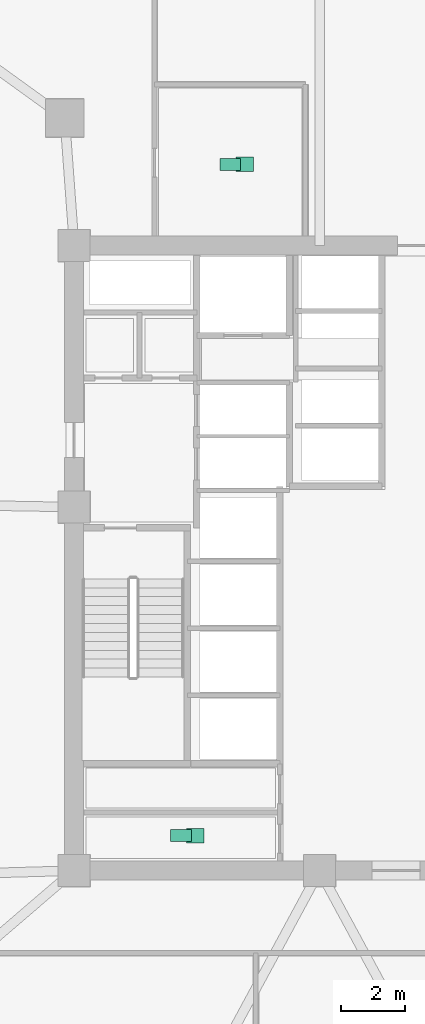
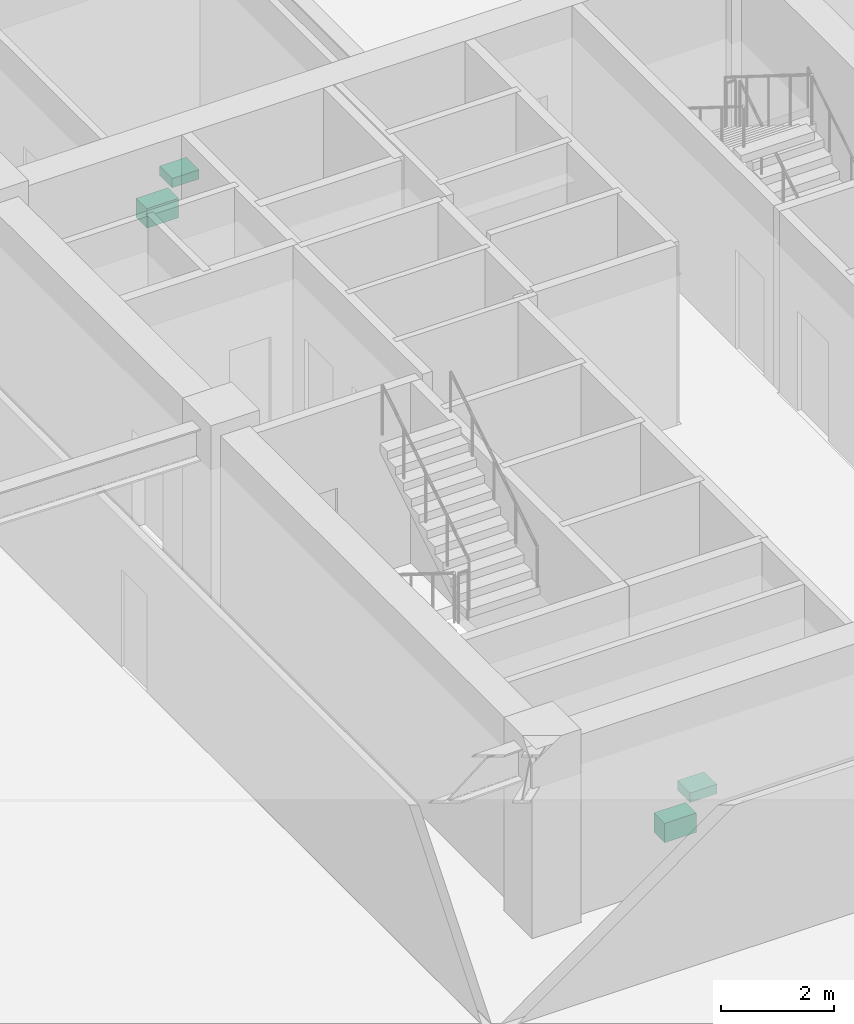
# One storey, part 21 of 21: 4 sanitary terminals.
"""IFC4 building model written with IfcOpenShell, lengths in metres."""

import ifcopenshell
import ifcopenshell.guid

model = None  # the IFC model being written
_history = None  # IfcOwnerHistory: only IFC2X3 demands one
_inside = {}  # id of a spatial element -> (the spatial element, [elements in it])
_under = {}  # id of a project, library or spatial element -> (it, [spatial elements below it])
_declared = {}  # id of a project -> (the project, [libraries it declares])
_typed = {}  # id of a type object -> (the type object, [elements of that type])
_made_of = {}  # id of a material, layer set ... -> (it, [elements and type objects made of it])


def new_model(schema):
    """Start an empty IFC model of exactly this schema.

    Asked for "IFC4X3", IfcOpenShell would pick the latest addendum, in which some entities
    have other attributes; the version numbers below select the first issue.
    IFC2X3 requires an IfcOwnerHistory on every rooted entity: one is made here for all.
    """
    global model, _history
    if schema == "IFC4X3":
        model = ifcopenshell.file(schema_version=(4, 3, 0, 0))
    else:
        model = ifcopenshell.file(schema=schema)
    _inside.clear()
    _under.clear()
    _declared.clear()
    _typed.clear()
    _made_of.clear()
    _history = None
    if model.schema == "IFC2X3":
        org = make("IfcOrganization", Name="unknown")
        user = make(
            "IfcPersonAndOrganization",
            ThePerson=make("IfcPerson", FamilyName="unknown"),
            TheOrganization=org,
        )
        app = make(
            "IfcApplication",
            ApplicationDeveloper=org,
            Version="unknown",
            ApplicationFullName="unknown",
            ApplicationIdentifier="unknown",
        )
        _history = make(
            "IfcOwnerHistory",
            OwningUser=user,
            OwningApplication=app,
            ChangeAction="ADDED",
            CreationDate=0,
        )
    return model


def make(cls, **values):
    """One entity of the class cls with the attributes given. An attribute that is None is left unset."""
    return model.create_entity(
        cls, **{name: value for name, value in values.items() if value is not None}
    )


def rooted(cls, **values):
    """An entity with a GlobalId (a new one), such as an element, a storey or a relation."""
    return make(cls, GlobalId=ifcopenshell.guid.new(), OwnerHistory=_history, **values)


def si_unit(unit_type, name, prefix=None):
    """IfcSIUnit, for example si_unit("LENGTHUNIT", "METRE", prefix="MILLI")."""
    return make("IfcSIUnit", UnitType=unit_type, Prefix=prefix, Name=name)


def assignment(units):
    """IfcUnitAssignment: the units of a project."""
    return None if units is None else make("IfcUnitAssignment", Units=units)


def point(xyz):
    """IfcCartesianPoint."""
    return None if xyz is None else make("IfcCartesianPoint", Coordinates=xyz)


def direction(xyz):
    """IfcDirection."""
    return None if xyz is None else make("IfcDirection", DirectionRatios=xyz)


def frame(location, z_axis=None, x_axis=None):
    """IfcAxis2Placement3D, a coordinate frame: its origin and axes. An axis left out is left unset."""
    return make(
        "IfcAxis2Placement3D",
        Location=point(location),
        Axis=direction(z_axis),
        RefDirection=direction(x_axis),
    )


def frame_2d(location, x_axis=None):
    """IfcAxis2Placement2D, a coordinate frame in the plane: its origin and x axis."""
    return make(
        "IfcAxis2Placement2D", Location=point(location), RefDirection=direction(x_axis)
    )


def origin():
    """The frame at (0, 0, 0) with its axes left unset."""
    return frame((0.0, 0.0, 0.0))


def origin_2d():
    """The frame at (0, 0) in the plane with its x axis left unset."""
    return frame_2d((0.0, 0.0))


def place(relative_to, where):
    """IfcLocalPlacement: puts the frame where relative to a parent placement (None: the world)."""
    return make(
        "IfcLocalPlacement", PlacementRelTo=relative_to, RelativePlacement=where
    )


def context(
    kind, dimensions, precision=None, world=None, true_north=None, identifier=None
):
    """IfcGeometricRepresentationContext, for example the 3D "Model" context."""
    return make(
        "IfcGeometricRepresentationContext",
        ContextIdentifier=identifier,
        ContextType=kind,
        CoordinateSpaceDimension=dimensions,
        Precision=precision,
        WorldCoordinateSystem=world,
        TrueNorth=true_north,
    )


def subcontext(parent, identifier, kind, view, scale=None):
    """IfcGeometricRepresentationSubContext, for example "Body" below "Model"."""
    return make(
        "IfcGeometricRepresentationSubContext",
        ContextIdentifier=identifier,
        ContextType=kind,
        ParentContext=parent,
        TargetScale=scale,
        TargetView=view,
    )


def project(units=None, contexts=None):
    """IfcProject with its units and contexts."""
    return rooted(
        "IfcProject",
        Name="project",
        RepresentationContexts=contexts,
        UnitsInContext=assignment(units),
    )


def spatial(cls, under=None, at=None, **own):
    """A site, building, storey or space (cls), placed at a placement, below another one or the project."""
    s = rooted(cls, ObjectPlacement=at, **own)
    if under is not None:
        _under.setdefault(under.id(), (under, []))[1].append(s)
    return s


def profile(cls, at=None, kind="AREA", **sizes):
    """A parametric profile (cls). Its sizes go by their IFC names, for example OverallWidth=200.0."""
    return make(cls, ProfileType=kind, Position=at, **sizes)


def rectangle(**sizes):
    """IfcRectangleProfileDef."""
    return profile("IfcRectangleProfileDef", **sizes)


def extrude(swept, where, along, depth):
    """IfcExtrudedAreaSolid: the profile swept, set in the frame where, extruded along a direction by depth."""
    return make(
        "IfcExtrudedAreaSolid",
        SweptArea=swept,
        Position=where,
        ExtrudedDirection=direction(along),
        Depth=depth,
    )


def shape(context_of_items, identifier, shape_type, items):
    """IfcShapeRepresentation: the items that make up one representation, for example the "Body"."""
    return make(
        "IfcShapeRepresentation",
        ContextOfItems=context_of_items,
        RepresentationIdentifier=identifier,
        RepresentationType=shape_type,
        Items=items,
    )


def material(Name=None, Category=None):
    """IfcMaterial."""
    return make("IfcMaterial", Name=Name, Category=Category)


def made_of(thing, what):
    """Note that an element or type object is made of a material, layer set ...; save() writes the relation."""
    if what is not None:
        _made_of.setdefault(what.id(), (what, []))[1].append(thing)
    return thing


def type_object(cls, material=None, **own):
    """A type object (cls), such as IfcWallType, which elements share."""
    return made_of(rooted(cls, **own), material)


def element(
    cls,
    number,
    at=None,
    inside=None,
    cuts=None,
    type_object=None,
    material=None,
    context=None,
    identifier="Body",
    shape_type=None,
    held_by="IfcProductDefinitionShape",
    body=None,
    shapes=None,
    **own,
):
    """One element of the class cls, such as IfcWall. Its Tag is "e" and its number.

    at: its placement. inside: the storey or other place that contains it. cuts: it is an
    opening in that element (IfcRelVoidsElement). A single representation is given by context,
    identifier, shape_type and body (its items); several are given by shapes. held_by: the class
    of the entity that holds the representations. save() writes the other relations.
    """
    e = rooted(cls, Tag="e%d" % number, ObjectPlacement=at, **own)
    if body is not None:
        shapes = [shape(context, identifier, shape_type, body)]
    if shapes is not None:
        e.Representation = make(held_by, Representations=shapes)
    if inside is not None:
        _inside.setdefault(inside.id(), (inside, []))[1].append(e)
    if cuts is not None:
        rooted(
            "IfcRelVoidsElement", RelatingBuildingElement=cuts, RelatedOpeningElement=e
        )
    if type_object is not None:
        _typed.setdefault(type_object.id(), (type_object, []))[1].append(e)
    return made_of(e, material)


def aggregate(whole, parts):
    """IfcRelAggregates: a whole, such as a stair, and the parts it consists of."""
    return rooted("IfcRelAggregates", RelatingObject=whole, RelatedObjects=parts)


def save(model, path):
    """Write the relations noted so far, then the file.

    IfcRelAggregates (storeys below a building ...), IfcRelContainedInSpatialStructure (elements
    in a storey), IfcRelDefinesByType, IfcRelAssociatesMaterial and IfcRelDeclares: one each for
    every whole, place, type object, material and project.
    """
    for whole, parts in _under.values():
        aggregate(whole, parts)
    for where, things in _inside.values():
        rooted(
            "IfcRelContainedInSpatialStructure",
            RelatedElements=things,
            RelatingStructure=where,
        )
    for kind, things in _typed.values():
        rooted("IfcRelDefinesByType", RelatedObjects=things, RelatingType=kind)
    for what, things in _made_of.values():
        rooted("IfcRelAssociatesMaterial", RelatedObjects=things, RelatingMaterial=what)
    for by, libraries in _declared.values():
        rooted("IfcRelDeclares", RelatingContext=by, RelatedDefinitions=libraries)
    model.write(path)


model = new_model("IFC4")

# Units and contexts
model_context = context("Model", 3, precision=1e-05, world=origin(), true_north=direction((0.0, 1.0)))
body_context = subcontext(model_context, "Body", "Model", "MODEL_VIEW")
ifc_project = project(units=[si_unit("LENGTHUNIT", "METRE"), si_unit("AREAUNIT", "SQUARE_METRE"), si_unit("VOLUMEUNIT", "CUBIC_METRE"), si_unit("PLANEANGLEUNIT", "RADIAN"), si_unit("MASSUNIT", "GRAM", prefix="KILO")], contexts=[model_context])

# Site, building, storey
site_placement = place(None, origin())
site = spatial("IfcSite", under=ifc_project, at=site_placement, CompositionType="ELEMENT")
building_placement = place(site_placement, origin())
building = spatial("IfcBuilding", under=site, at=building_placement, Name="Savorim Split Tower", CompositionType="ELEMENT")
storey_placement = place(building_placement, frame((0.0, 0.0, 9.199951171875)))
storey = spatial("IfcBuildingStorey", under=building, at=storey_placement, Name="L02", CompositionType="ELEMENT", Elevation=9.199951171875)

# Sanitary terminals
ifc_material = material(Name="Vitreous China Sanitaryware")
sanitary_terminal_type_1 = type_object("IfcSanitaryTerminalType", Name="SAN-WC-PAN", PredefinedType="TOILETPAN", material=ifc_material)
for number, where, z_axis, x_axis, name in (
    (1, (-4.35009765625, -8.304931640625, 0.0), (0.0, 0.0, 1.0), (1.0, 0.0, 0.0), "L02 Public WC WC Pan"),
    (2, (-2.800048828125, 12.75, 0.0), (0.0, 0.0, 1.0), (1.0, 0.0, 0.0), "L02 Public WC WC Pan"),
):
    element("IfcSanitaryTerminal", number, at=place(storey_placement, frame(where, z_axis=z_axis, x_axis=x_axis)), inside=storey, type_object=sanitary_terminal_type_1, Name=name, PredefinedType="TOILETPAN", context=body_context, shape_type="SweptSolid", body=[
        extrude(rectangle(XDim=0.64990234375, YDim=0.3798828125, at=origin_2d()), origin(), (0.0, 0.0, 1.0), 0.419921875),
    ])
sanitary_terminal_type_2 = type_object("IfcSanitaryTerminalType", Name="SAN-WHB-550", PredefinedType="WASHHANDBASIN", material=ifc_material)
for number, where, z_axis, x_axis, name in (
    (3, (-3.89990234375, -8.304931640625, 0.72021484375), (0.0, 0.0, 1.0), (1.0, 0.0, 0.0), "L02 Public WC Washhand Basin"),
    (4, (-2.35009765625, 12.75, 0.72021484375), (0.0, 0.0, 1.0), (1.0, 0.0, 0.0), "L02 Public WC Washhand Basin"),
):
    element("IfcSanitaryTerminal", number, at=place(storey_placement, frame(where, z_axis=z_axis, x_axis=x_axis)), inside=storey, type_object=sanitary_terminal_type_2, Name=name, PredefinedType="WASHHANDBASIN", context=body_context, shape_type="SweptSolid", body=[
        extrude(rectangle(XDim=0.550048828125, YDim=0.449951171875, at=origin_2d()), origin(), (0.0, 0.0, 1.0), 0.199951171875),
    ])

save(model, "model.ifc")
